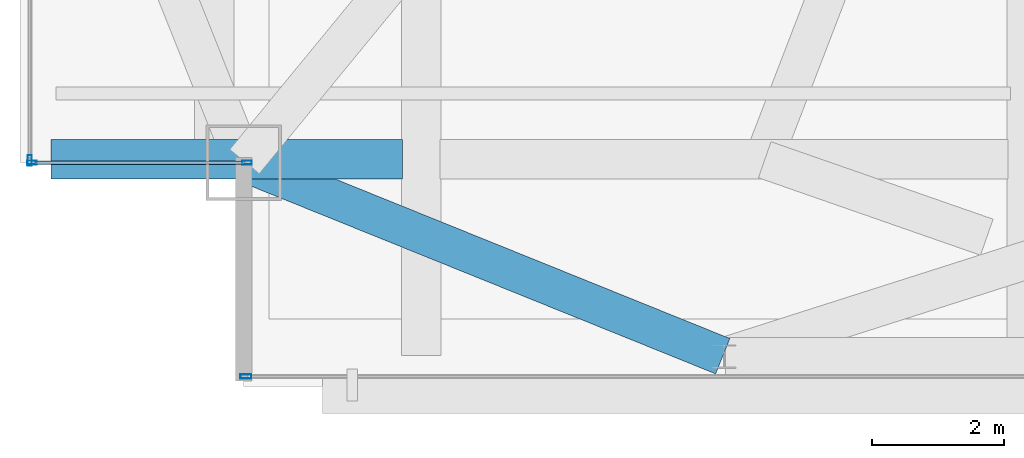
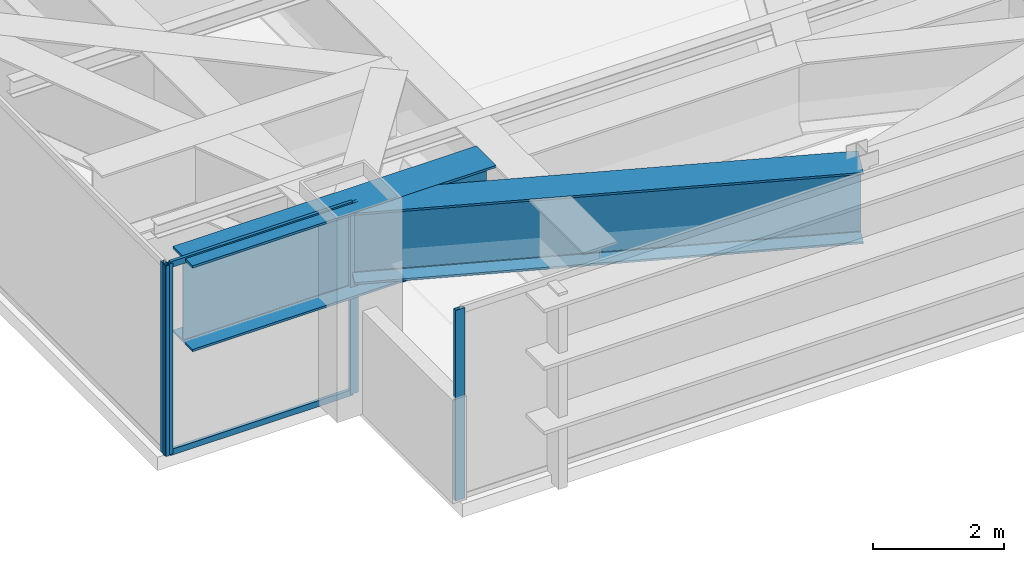
# One storey, part 4 of 23: 6 members, 2 beams, 3 elements without a shape of their own.
"""IFC4 building model written with IfcOpenShell, lengths in metres."""

import ifcopenshell
import ifcopenshell.guid

model = None  # the IFC model being written
_history = None  # IfcOwnerHistory: only IFC2X3 demands one
_inside = {}  # id of a spatial element -> (the spatial element, [elements in it])
_under = {}  # id of a project, library or spatial element -> (it, [spatial elements below it])
_declared = {}  # id of a project -> (the project, [libraries it declares])
_typed = {}  # id of a type object -> (the type object, [elements of that type])
_made_of = {}  # id of a material, layer set ... -> (it, [elements and type objects made of it])


def new_model(schema):
    """Start an empty IFC model of exactly this schema.

    Asked for "IFC4X3", IfcOpenShell would pick the latest addendum, in which some entities
    have other attributes; the version numbers below select the first issue.
    IFC2X3 requires an IfcOwnerHistory on every rooted entity: one is made here for all.
    """
    global model, _history
    if schema == "IFC4X3":
        model = ifcopenshell.file(schema_version=(4, 3, 0, 0))
    else:
        model = ifcopenshell.file(schema=schema)
    _inside.clear()
    _under.clear()
    _declared.clear()
    _typed.clear()
    _made_of.clear()
    _history = None
    if model.schema == "IFC2X3":
        org = make("IfcOrganization", Name="unknown")
        user = make(
            "IfcPersonAndOrganization",
            ThePerson=make("IfcPerson", FamilyName="unknown"),
            TheOrganization=org,
        )
        app = make(
            "IfcApplication",
            ApplicationDeveloper=org,
            Version="unknown",
            ApplicationFullName="unknown",
            ApplicationIdentifier="unknown",
        )
        _history = make(
            "IfcOwnerHistory",
            OwningUser=user,
            OwningApplication=app,
            ChangeAction="ADDED",
            CreationDate=0,
        )
    return model


def make(cls, **values):
    """One entity of the class cls with the attributes given. An attribute that is None is left unset."""
    return model.create_entity(
        cls, **{name: value for name, value in values.items() if value is not None}
    )


def rooted(cls, **values):
    """An entity with a GlobalId (a new one), such as an element, a storey or a relation."""
    return make(cls, GlobalId=ifcopenshell.guid.new(), OwnerHistory=_history, **values)


def si_unit(unit_type, name, prefix=None):
    """IfcSIUnit, for example si_unit("LENGTHUNIT", "METRE", prefix="MILLI")."""
    return make("IfcSIUnit", UnitType=unit_type, Prefix=prefix, Name=name)


def assignment(units):
    """IfcUnitAssignment: the units of a project."""
    return None if units is None else make("IfcUnitAssignment", Units=units)


def point(xyz):
    """IfcCartesianPoint."""
    return None if xyz is None else make("IfcCartesianPoint", Coordinates=xyz)


def direction(xyz):
    """IfcDirection."""
    return None if xyz is None else make("IfcDirection", DirectionRatios=xyz)


def frame(location, z_axis=None, x_axis=None):
    """IfcAxis2Placement3D, a coordinate frame: its origin and axes. An axis left out is left unset."""
    return make(
        "IfcAxis2Placement3D",
        Location=point(location),
        Axis=direction(z_axis),
        RefDirection=direction(x_axis),
    )


def frame_2d(location, x_axis=None):
    """IfcAxis2Placement2D, a coordinate frame in the plane: its origin and x axis."""
    return make(
        "IfcAxis2Placement2D", Location=point(location), RefDirection=direction(x_axis)
    )


def origin():
    """The frame at (0, 0, 0) with its axes left unset."""
    return frame((0.0, 0.0, 0.0))


def origin_2d():
    """The frame at (0, 0) in the plane with its x axis left unset."""
    return frame_2d((0.0, 0.0))


def place(relative_to, where):
    """IfcLocalPlacement: puts the frame where relative to a parent placement (None: the world)."""
    return make(
        "IfcLocalPlacement", PlacementRelTo=relative_to, RelativePlacement=where
    )


def context(
    kind, dimensions, precision=None, world=None, true_north=None, identifier=None
):
    """IfcGeometricRepresentationContext, for example the 3D "Model" context."""
    return make(
        "IfcGeometricRepresentationContext",
        ContextIdentifier=identifier,
        ContextType=kind,
        CoordinateSpaceDimension=dimensions,
        Precision=precision,
        WorldCoordinateSystem=world,
        TrueNorth=true_north,
    )


def subcontext(parent, identifier, kind, view, scale=None):
    """IfcGeometricRepresentationSubContext, for example "Body" below "Model"."""
    return make(
        "IfcGeometricRepresentationSubContext",
        ContextIdentifier=identifier,
        ContextType=kind,
        ParentContext=parent,
        TargetScale=scale,
        TargetView=view,
    )


def project(units=None, contexts=None):
    """IfcProject with its units and contexts."""
    return rooted(
        "IfcProject",
        Name="project",
        RepresentationContexts=contexts,
        UnitsInContext=assignment(units),
    )


def spatial(cls, under=None, at=None, **own):
    """A site, building, storey or space (cls), placed at a placement, below another one or the project."""
    s = rooted(cls, ObjectPlacement=at, **own)
    if under is not None:
        _under.setdefault(under.id(), (under, []))[1].append(s)
    return s


def profile(cls, at=None, kind="AREA", **sizes):
    """A parametric profile (cls). Its sizes go by their IFC names, for example OverallWidth=200.0."""
    return make(cls, ProfileType=kind, Position=at, **sizes)


def hollow_rectangle(**sizes):
    """IfcRectangleHollowProfileDef."""
    return profile("IfcRectangleHollowProfileDef", **sizes)


def i_section(**sizes):
    """IfcIShapeProfileDef."""
    return profile("IfcIShapeProfileDef", **sizes)


def extrude(swept, where, along, depth):
    """IfcExtrudedAreaSolid: the profile swept, set in the frame where, extruded along a direction by depth."""
    return make(
        "IfcExtrudedAreaSolid",
        SweptArea=swept,
        Position=where,
        ExtrudedDirection=direction(along),
        Depth=depth,
    )


def shape(context_of_items, identifier, shape_type, items):
    """IfcShapeRepresentation: the items that make up one representation, for example the "Body"."""
    return make(
        "IfcShapeRepresentation",
        ContextOfItems=context_of_items,
        RepresentationIdentifier=identifier,
        RepresentationType=shape_type,
        Items=items,
    )


def source(mapping_origin, context_of_items, identifier, shape_type, items):
    """IfcRepresentationMap: a shape defined once, which mapped items show again and again."""
    return make(
        "IfcRepresentationMap",
        MappingOrigin=mapping_origin,
        MappedRepresentation=shape(context_of_items, identifier, shape_type, items),
    )


def transform(
    local_origin,
    x_axis=None,
    y_axis=None,
    z_axis=None,
    scale=None,
    scale2=None,
    scale3=None,
    uniform=True,
):
    """IfcCartesianTransformationOperator3D, or its non-uniform kind. x_axis, y_axis, z_axis: its Axis1, 2, 3."""
    if uniform:
        return make(
            "IfcCartesianTransformationOperator3D",
            Axis1=direction(x_axis),
            Axis2=direction(y_axis),
            LocalOrigin=point(local_origin),
            Scale=scale,
            Axis3=direction(z_axis),
        )
    return make(
        "IfcCartesianTransformationOperator3DnonUniform",
        Axis1=direction(x_axis),
        Axis2=direction(y_axis),
        LocalOrigin=point(local_origin),
        Scale=scale,
        Axis3=direction(z_axis),
        Scale2=scale2,
        Scale3=scale3,
    )


def mapped(mapping_source, mapping_target):
    """IfcMappedItem: shows the shape of a source again, moved by a transform."""
    return make(
        "IfcMappedItem", MappingSource=mapping_source, MappingTarget=mapping_target
    )


def material(Name=None, Category=None):
    """IfcMaterial."""
    return make("IfcMaterial", Name=Name, Category=Category)


def layer(
    of_material, thickness, ventilated=None, Name=None, Category=None, Priority=None
):
    """IfcMaterialLayer: one layer of a wall or slab, of a material (None: an air gap)."""
    return make(
        "IfcMaterialLayer",
        Material=of_material,
        LayerThickness=thickness,
        IsVentilated=ventilated,
        Name=Name,
        Category=Category,
        Priority=Priority,
    )


def layer_set(layers, Name=None):
    """IfcMaterialLayerSet."""
    return make("IfcMaterialLayerSet", MaterialLayers=layers, LayerSetName=Name)


def material_profile(
    of_material, cross_section, Name=None, Category=None, Priority=None
):
    """IfcMaterialProfile: a cross section and its material."""
    return make(
        "IfcMaterialProfile",
        Name=Name,
        Material=of_material,
        Profile=cross_section,
        Priority=Priority,
        Category=Category,
    )


def profile_set(profiles, Name=None, composite=None):
    """IfcMaterialProfileSet."""
    return make(
        "IfcMaterialProfileSet",
        Name=Name,
        MaterialProfiles=profiles,
        CompositeProfile=composite,
    )


def made_of(thing, what):
    """Note that an element or type object is made of a material, layer set ...; save() writes the relation."""
    if what is not None:
        _made_of.setdefault(what.id(), (what, []))[1].append(thing)
    return thing


def type_object(cls, material=None, **own):
    """A type object (cls), such as IfcWallType, which elements share."""
    return made_of(rooted(cls, **own), material)


def type_shapes(of_type, sources):
    """Give a type object the sources (RepresentationMaps) that its elements show as mapped items."""
    of_type.RepresentationMaps = sources


def element(
    cls,
    number,
    at=None,
    inside=None,
    cuts=None,
    type_object=None,
    material=None,
    context=None,
    identifier="Body",
    shape_type=None,
    held_by="IfcProductDefinitionShape",
    body=None,
    shapes=None,
    **own,
):
    """One element of the class cls, such as IfcWall. Its Tag is "e" and its number.

    at: its placement. inside: the storey or other place that contains it. cuts: it is an
    opening in that element (IfcRelVoidsElement). A single representation is given by context,
    identifier, shape_type and body (its items); several are given by shapes. held_by: the class
    of the entity that holds the representations. save() writes the other relations.
    """
    e = rooted(cls, Tag="e%d" % number, ObjectPlacement=at, **own)
    if body is not None:
        shapes = [shape(context, identifier, shape_type, body)]
    if shapes is not None:
        e.Representation = make(held_by, Representations=shapes)
    if inside is not None:
        _inside.setdefault(inside.id(), (inside, []))[1].append(e)
    if cuts is not None:
        rooted(
            "IfcRelVoidsElement", RelatingBuildingElement=cuts, RelatedOpeningElement=e
        )
    if type_object is not None:
        _typed.setdefault(type_object.id(), (type_object, []))[1].append(e)
    return made_of(e, material)


def aggregate(whole, parts):
    """IfcRelAggregates: a whole, such as a stair, and the parts it consists of."""
    return rooted("IfcRelAggregates", RelatingObject=whole, RelatedObjects=parts)


def save(model, path):
    """Write the relations noted so far, then the file.

    IfcRelAggregates (storeys below a building ...), IfcRelContainedInSpatialStructure (elements
    in a storey), IfcRelDefinesByType, IfcRelAssociatesMaterial and IfcRelDeclares: one each for
    every whole, place, type object, material and project.
    """
    for whole, parts in _under.values():
        aggregate(whole, parts)
    for where, things in _inside.values():
        rooted(
            "IfcRelContainedInSpatialStructure",
            RelatedElements=things,
            RelatingStructure=where,
        )
    for kind, things in _typed.values():
        rooted("IfcRelDefinesByType", RelatedObjects=things, RelatingType=kind)
    for what, things in _made_of.values():
        rooted("IfcRelAssociatesMaterial", RelatedObjects=things, RelatingMaterial=what)
    for by, libraries in _declared.values():
        rooted("IfcRelDeclares", RelatingContext=by, RelatedDefinitions=libraries)
    model.write(path)


model = new_model("IFC4")

# Units and contexts
model_context = context("Model", 3, precision=1e-05, world=origin(), true_north=direction((0.0, 1.0)))
body_context = subcontext(model_context, "Body", "Model", "MODEL_VIEW")
ifc_project = project(units=[si_unit("LENGTHUNIT", "METRE"), si_unit("AREAUNIT", "SQUARE_METRE"), si_unit("VOLUMEUNIT", "CUBIC_METRE"), si_unit("PLANEANGLEUNIT", "RADIAN"), si_unit("MASSUNIT", "GRAM", prefix="KILO")], contexts=[model_context])

# Site, building, storey
site_placement = place(None, origin())
site = spatial("IfcSite", under=ifc_project, at=site_placement, CompositionType="ELEMENT")
building_placement = place(site_placement, origin())
building = spatial("IfcBuilding", under=site, at=building_placement, Name="Varnel Quay Broadcast Tower", CompositionType="ELEMENT")
storey_placement = place(building_placement, frame((0.0, 0.0, 254.60009765625)))
storey = spatial("IfcBuildingStorey", under=building, at=storey_placement, Name="L63", CompositionType="ELEMENT", Elevation=254.60009765625)

# Beams
ifc_material_1 = material(Name="Structural Steel CSA G40.21 350WT", Category="steel")
ifc_material_profile_1 = material_profile(ifc_material_1, i_section(OverallWidth=0.580078125, OverallDepth=1.330078125, WebThickness=0.02197265625, FlangeThickness=0.0380859375, FilletRadius=0.02001953125, at=origin_2d()), Name="WWF1330X535")
ifc_profile_set_1 = profile_set([ifc_material_profile_1], Name="Structural Steel CSA G40.21 350WT")
beam_type_1 = type_object("IfcBeamType", Name="Girder_WWF1330X535", PredefinedType="BEAM", material=ifc_profile_set_1)
shared_shape_1 = source(origin(), body_context, "Body", "SweptSolid", [
    extrude(i_section(OverallWidth=0.580078125, OverallDepth=1.330078125, WebThickness=0.02197265625, FlangeThickness=0.0380859375, FilletRadius=0.02001953125, at=origin_2d()), origin(), (0.0, 0.0, 1.0), 7.83349609375),
])
type_shapes(beam_type_1, [shared_shape_1])
beam_1_placement = place(storey_placement, frame((12.91845703125, 13.592529296875, 2.885009765625), z_axis=(0.927155449606, -0.374676890489, 0.0), x_axis=(0.374676890489, 0.927155449606, 0.0)))
element("IfcBeam", 1, at=beam_1_placement, inside=storey, type_object=beam_type_1, Name="L63 Perimeter Transfer Spine MC-SW-TC-S1", PredefinedType="BEAM", context=body_context, shape_type="MappedRepresentation", body=[
    mapped(shared_shape_1, transform((0.0, 0.0, 0.0), x_axis=(1.0, 0.0, 0.0), y_axis=(0.0, 1.0, 0.0), z_axis=(0.0, 0.0, 1.0), scale=1.0)),
])
ifc_material_profile_2 = material_profile(ifc_material_1, i_section(OverallWidth=0.60009765625, OverallDepth=1.60009765625, WebThickness=0.02392578125, FlangeThickness=0.0419921875, FilletRadius=0.02197265625, at=origin_2d()), Name="WWF1600X620")
ifc_profile_set_2 = profile_set([ifc_material_profile_2], Name="Structural Steel CSA G40.21 350WT")
beam_type_2 = type_object("IfcBeamType", Name="Girder_WWF1600X620", PredefinedType="BEAM", material=ifc_profile_set_2)
shared_shape_2 = source(origin(), body_context, "Body", "SweptSolid", [
    extrude(i_section(OverallWidth=0.60009765625, OverallDepth=1.60009765625, WebThickness=0.02392578125, FlangeThickness=0.0419921875, FilletRadius=0.02197265625, at=origin_2d()), origin(), (0.0, 0.0, 1.0), 5.344970703125),
])
type_shapes(beam_type_2, [shared_shape_2])
beam_2_placement = place(storey_placement, frame((9.969970703125, 13.64990234375, 2.75), z_axis=(1.0, 0.0, 0.0), x_axis=(0.0, 1.0, 0.0)))
element("IfcBeam", 2, at=beam_2_placement, inside=storey, type_object=beam_type_2, Name="L63 Setback South Transfer Header 1", PredefinedType="BEAM", context=body_context, shape_type="MappedRepresentation", body=[
    mapped(shared_shape_2, transform((0.0, 0.0, 0.0), x_axis=(1.0, 0.0, 0.0), y_axis=(0.0, 1.0, 0.0), z_axis=(0.0, 0.0, 1.0), scale=1.0)),
])

# Curtain wall, members
ifc_material_2 = material(Name="Anodised Bronze Aluminium 6063-T6", Category="aluminium")
ifc_layer_1 = layer(ifc_material_2, 0.18994140625, Name="Anodised Bronze Aluminium 6063-T6")
ifc_layer_set_1 = layer_set([ifc_layer_1], Name="Anodised Bronze Aluminium 6063-T6")
curtain_wall_type_1 = type_object("IfcCurtainWallType", Name="CW_NotchCorner", PredefinedType="NOTDEFINED", material=ifc_layer_set_1)
curtain_wall_1_placement = place(storey_placement, origin())
curtain_wall_1 = element("IfcCurtainWall", 3, at=curtain_wall_1_placement, inside=storey, type_object=curtain_wall_type_1, Name="L63 SW Notch Curtain Wall", PredefinedType="NOTDEFINED")
ifc_material_profile_3 = material_profile(ifc_material_2, hollow_rectangle(XDim=0.06005859375, YDim=0.14501953125, WallThickness=0.00341796875, at=origin_2d()), Name="ALU60X145X3.5")
ifc_profile_set_3 = profile_set([ifc_material_profile_3], Name="Anodised Bronze Aluminium 6063-T6")
member_type_1 = type_object("IfcMemberType", Name="Mull_CWS-04", PredefinedType="MULLION", material=ifc_profile_set_3)
shared_shape_3 = source(origin(), body_context, "Body", "SweptSolid", [
    extrude(hollow_rectangle(XDim=0.06005859375, YDim=0.14501953125, WallThickness=0.00341796875, at=origin_2d()), origin(), (0.0, 0.0, 1.0), 3.5498046875),
])
type_shapes(member_type_1, [shared_shape_3])
member_1_placement = place(storey_placement, frame((9.679931640625, 13.60009765625, 0.0), z_axis=(0.0, 0.0, 1.0), x_axis=(0.0, 1.0, 0.0)))
member_1 = element("IfcMember", 4, at=member_1_placement, type_object=member_type_1, Name="CWS-04 mullion 1", PredefinedType="MULLION", context=body_context, shape_type="MappedRepresentation", body=[
    mapped(shared_shape_3, transform((0.0, 0.0, 0.0), x_axis=(1.0, 0.0, 0.0), y_axis=(0.0, 1.0, 0.0), z_axis=(0.0, 0.0, 1.0), scale=1.0)),
])
member_2_placement = place(storey_placement, frame((12.949951171875, 13.60009765625, 0.0), z_axis=(0.0, 0.0, 1.0), x_axis=(0.0, 1.0, 0.0)))
member_2 = element("IfcMember", 5, at=member_2_placement, type_object=member_type_1, Name="CWS-04 mullion 2", PredefinedType="MULLION", context=body_context, shape_type="MappedRepresentation", body=[
    mapped(shared_shape_3, transform((0.0, 0.0, 0.0), x_axis=(1.0, 0.0, 0.0), y_axis=(0.0, 1.0, 0.0), z_axis=(0.0, 0.0, 1.0), scale=1.0)),
])

# Curtain wall, member
ifc_layer_2 = layer(ifc_material_2, 0.18994140625, Name="Anodised Bronze Aluminium 6063-T6")
ifc_layer_set_2 = layer_set([ifc_layer_2], Name="Anodised Bronze Aluminium 6063-T6")
curtain_wall_type_2 = type_object("IfcCurtainWallType", Name="CW_UpperTower", PredefinedType="NOTDEFINED", material=ifc_layer_set_2)
curtain_wall_2_placement = place(storey_placement, origin())
curtain_wall_2 = element("IfcCurtainWall", 6, at=curtain_wall_2_placement, inside=storey, type_object=curtain_wall_type_2, Name="L63 South Unitised Curtain Wall 1", PredefinedType="NOTDEFINED")
ifc_material_profile_4 = material_profile(ifc_material_2, hollow_rectangle(XDim=0.06494140625, YDim=0.1650390625, WallThickness=0.00341796875, at=origin_2d()), Name="ALU65X165X3.5")
ifc_profile_set_4 = profile_set([ifc_material_profile_4], Name="Anodised Bronze Aluminium 6063-T6")
member_type_2 = type_object("IfcMemberType", Name="Mull_CWS-03", PredefinedType="MULLION", material=ifc_profile_set_4)
shared_shape_4 = source(origin(), body_context, "Body", "SweptSolid", [
    extrude(hollow_rectangle(XDim=0.06494140625, YDim=0.1650390625, WallThickness=0.00341796875, at=origin_2d()), origin(), (0.0, 0.0, 1.0), 3.5498046875),
])
type_shapes(member_type_2, [shared_shape_4])
member_3_placement = place(storey_placement, frame((12.9326171875, 10.35009765625, 0.0), z_axis=(0.0, 0.0, 1.0), x_axis=(0.0, 1.0, 0.0)))
member_3 = element("IfcMember", 7, at=member_3_placement, type_object=member_type_2, Name="CWS-03 mullion 1", PredefinedType="MULLION", context=body_context, shape_type="MappedRepresentation", body=[
    mapped(shared_shape_4, transform((0.0, 0.0, 0.0), x_axis=(1.0, 0.0, 0.0), y_axis=(0.0, 1.0, 0.0), z_axis=(0.0, 0.0, 1.0), scale=1.0)),
])
aggregate(curtain_wall_2, [member_3])

curtain_wall_3_placement = place(storey_placement, origin())
curtain_wall_3 = element("IfcCurtainWall", 8, at=curtain_wall_3_placement, inside=storey, type_object=curtain_wall_type_2, Name="L63 West Unitised Curtain Wall", PredefinedType="NOTDEFINED")
member_4_placement = place(storey_placement, frame((9.64990234375, 13.632568359375, 0.0), z_axis=(0.0, 0.0, 1.0), x_axis=(-1.0, 0.0, 0.0)))
member_4 = element("IfcMember", 9, at=member_4_placement, type_object=member_type_2, Name="CWS-03 mullion 1", PredefinedType="MULLION", context=body_context, shape_type="MappedRepresentation", body=[
    mapped(shared_shape_4, transform((0.0, 0.0, 0.0), x_axis=(1.0, 0.0, 0.0), y_axis=(0.0, 1.0, 0.0), z_axis=(0.0, 0.0, 1.0), scale=1.0)),
])
aggregate(curtain_wall_3, [member_4])

# Member
ifc_material_profile_5 = material_profile(ifc_material_2, hollow_rectangle(XDim=0.054931640625, YDim=0.110107421875, WallThickness=0.0029296875, at=origin_2d()), Name="ALU55X110X3")
ifc_profile_set_5 = profile_set([ifc_material_profile_5], Name="Anodised Bronze Aluminium 6063-T6")
member_type_3 = type_object("IfcMemberType", Name="Tran_CWS-04", PredefinedType="USERDEFINED", material=ifc_profile_set_5)
shared_shape_5 = source(origin(), body_context, "Body", "SweptSolid", [
    extrude(hollow_rectangle(XDim=0.054931640625, YDim=0.110107421875, WallThickness=0.0029296875, at=origin_2d()), origin(), (0.0, 0.0, 1.0), 3.2099609375),
])
type_shapes(member_type_3, [shared_shape_5])
member_5_placement = place(storey_placement, frame((9.7099609375, 13.60009765625, 0.02734375), z_axis=(1.0, 0.0, 0.0), x_axis=(0.0, 1.0, 0.0)))
member_5 = element("IfcMember", 10, at=member_5_placement, type_object=member_type_3, Name="CWS-04 transom 1.1", ObjectType="TRANSOM", PredefinedType="USERDEFINED", context=body_context, shape_type="MappedRepresentation", body=[
    mapped(shared_shape_5, transform((0.0, 0.0, 0.0), x_axis=(1.0, 0.0, 0.0), y_axis=(0.0, 1.0, 0.0), z_axis=(0.0, 0.0, 1.0), scale=1.0)),
])

member_6_placement = place(storey_placement, frame((9.7099609375, 13.60009765625, 3.5224609375), z_axis=(1.0, 0.0, 0.0), x_axis=(0.0, 1.0, 0.0)))
member_6 = element("IfcMember", 11, at=member_6_placement, type_object=member_type_3, Name="CWS-04 transom 1.2", ObjectType="TRANSOM", PredefinedType="USERDEFINED", context=body_context, shape_type="MappedRepresentation", body=[
    mapped(shared_shape_5, transform((0.0, 0.0, 0.0), x_axis=(1.0, 0.0, 0.0), y_axis=(0.0, 1.0, 0.0), z_axis=(0.0, 0.0, 1.0), scale=1.0)),
])

aggregate(curtain_wall_1, [member_1, member_2, member_5, member_6])

save(model, "model.ifc")
